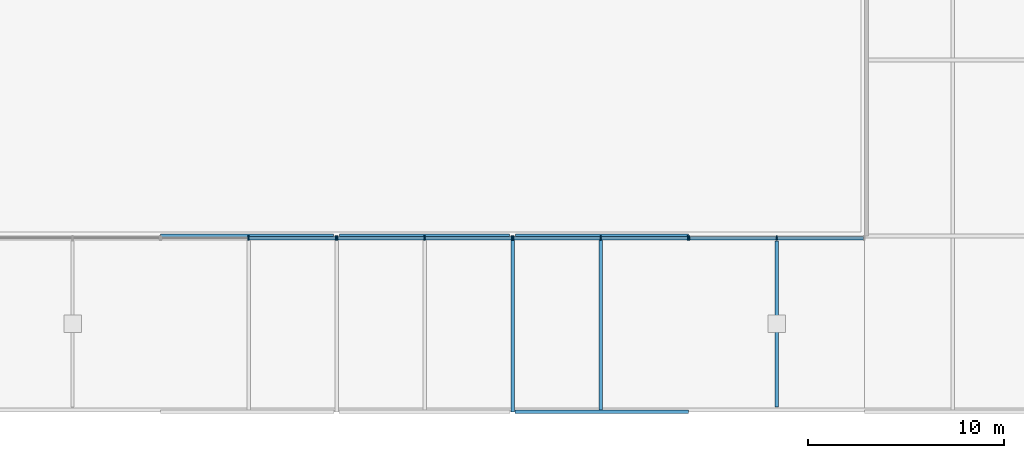
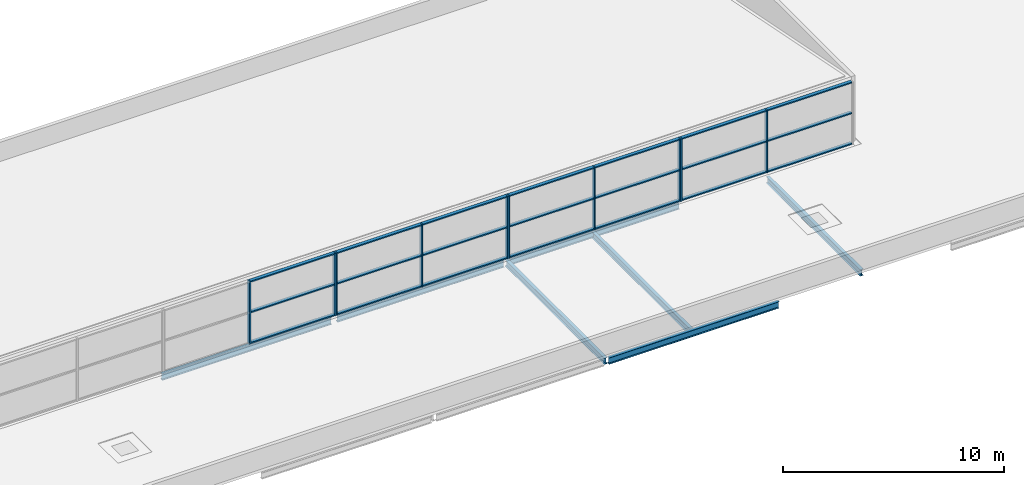
# One storey, part 25 of 50: 31 members, 7 beams, 4 elements without a shape of their own.
"""IFC4 building model written with IfcOpenShell, lengths in metres."""

from ifc_helpers import new_model, si_unit, direction, frame, origin, origin_2d, place, context, subcontext, project, spatial, rectangle, i_section, extrude, material, layer, layer_set, material_profile, profile_set, type_object, element, aggregate, save


model = new_model("IFC4")

# Units and contexts
model_context = context("Model", 3, precision=1e-05, world=origin(), true_north=direction((0.0, 1.0)))
body_context = subcontext(model_context, "Body", "Model", "MODEL_VIEW")
ifc_project = project(units=[si_unit("LENGTHUNIT", "METRE"), si_unit("AREAUNIT", "SQUARE_METRE"), si_unit("VOLUMEUNIT", "CUBIC_METRE"), si_unit("PLANEANGLEUNIT", "RADIAN"), si_unit("MASSUNIT", "GRAM", prefix="KILO")], contexts=[model_context])

# Site, building, storey
site_placement = place(None, origin())
site = spatial("IfcSite", under=ifc_project, at=site_placement, CompositionType="ELEMENT")
building_placement = place(site_placement, origin())
building = spatial("IfcBuilding", under=site, at=building_placement, Name="Corbel Yard City Hall", CompositionType="ELEMENT")
storey_placement = place(building_placement, frame((0.0, 0.0, 15.0)))
storey = spatial("IfcBuildingStorey", under=building, at=storey_placement, Name="L03", CompositionType="ELEMENT", Elevation=15.0)

# Beams
ifc_material_1 = material(Name="Steel Grade 300 (300 MPa yield)", Category="steel")
ifc_material_profile_1 = material_profile(ifc_material_1, i_section(OverallWidth=0.1708984375, OverallDepth=0.35205078125, WebThickness=0.0068359375, FlangeThickness=0.009765625, at=origin_2d()), Name="360UB44.7")
ifc_profile_set_1 = profile_set([ifc_material_profile_1], Name="Steel Grade 300 (300 MPa yield)")
beam_type_1 = type_object("IfcBeamType", Name="Beam 360UB44.7", PredefinedType="BEAM", material=ifc_profile_set_1)
beam_1_placement = place(storey_placement, frame((144.0, 0.00439453125, -0.325927734375), z_axis=(0.0, 1.0, 0.0), x_axis=(-1.0, 0.0, 0.0)))
element("IfcBeam", 1, at=beam_1_placement, inside=storey, type_object=beam_type_1, Name="Beam 360UB44.7 SB13 L03roof", PredefinedType="BEAM", context=body_context, shape_type="SweptSolid", body=[
    extrude(i_section(OverallWidth=0.1708984375, OverallDepth=0.35205078125, WebThickness=0.0068359375, FlangeThickness=0.009765625, at=origin_2d()), origin(), (0.0, 0.0, 1.0), 8.99072265625),
])
ifc_material_profile_2 = material_profile(ifc_material_1, i_section(OverallWidth=0.172119140625, OverallDepth=0.35888671875, WebThickness=0.008056640625, FlangeThickness=0.012939453125, at=origin_2d()), Name="360UB56.7")
ifc_profile_set_2 = profile_set([ifc_material_profile_2], Name="Steel Grade 300 (300 MPa yield)")
beam_type_2 = type_object("IfcBeamType", Name="Edge beam 360UB56.7", PredefinedType="BEAM", material=ifc_profile_set_2)
beam_2_placement = place(storey_placement, frame((144.126953125, 0.0, -0.32958984375), z_axis=(1.0, 0.0, 0.0), x_axis=(0.0, 1.0, 0.0)))
element("IfcBeam", 2, at=beam_2_placement, inside=storey, type_object=beam_type_2, Name="Edge beam 360UB56.7 EB4 L03roof", PredefinedType="BEAM", context=body_context, shape_type="SweptSolid", body=[
    extrude(i_section(OverallWidth=0.172119140625, OverallDepth=0.35888671875, WebThickness=0.008056640625, FlangeThickness=0.012939453125, at=origin_2d()), origin(), (0.0, 0.0, 1.0), 8.873046875),
])
beam_3_placement = place(storey_placement, frame((126.0, 9.0, -0.32958984375), z_axis=(1.0, 0.0, 0.0), x_axis=(0.0, 1.0, 0.0)))
element("IfcBeam", 3, at=beam_3_placement, inside=storey, type_object=beam_type_2, Name="Edge beam 360UB56.7 EB4 L03roof", PredefinedType="BEAM", context=body_context, shape_type="SweptSolid", body=[
    extrude(i_section(OverallWidth=0.172119140625, OverallDepth=0.35888671875, WebThickness=0.008056640625, FlangeThickness=0.012939453125, at=origin_2d()), origin(), (0.0, 0.0, 1.0), 8.845947265625),
])
beam_4_placement = place(storey_placement, frame((135.154052734375, 9.0, -0.32958984375), z_axis=(1.0, 0.0, 0.0), x_axis=(0.0, 1.0, 0.0)))
element("IfcBeam", 4, at=beam_4_placement, inside=storey, type_object=beam_type_2, Name="Edge beam 360UB56.7 EB4 L03roof", PredefinedType="BEAM", context=body_context, shape_type="SweptSolid", body=[
    extrude(i_section(OverallWidth=0.172119140625, OverallDepth=0.35888671875, WebThickness=0.008056640625, FlangeThickness=0.012939453125, at=origin_2d()), origin(), (0.0, 0.0, 1.0), 8.69189453125),
])
beam_5_placement = place(storey_placement, frame((144.154052734375, 9.0, -0.32958984375), z_axis=(1.0, 0.0, 0.0), x_axis=(0.0, 1.0, 0.0)))
element("IfcBeam", 5, at=beam_5_placement, inside=storey, type_object=beam_type_2, Name="Edge beam 360UB56.7 EB4 L03roof", PredefinedType="BEAM", context=body_context, shape_type="SweptSolid", body=[
    extrude(i_section(OverallWidth=0.172119140625, OverallDepth=0.35888671875, WebThickness=0.008056640625, FlangeThickness=0.012939453125, at=origin_2d()), origin(), (0.0, 0.0, 1.0), 8.845947265625),
])

# Curtain wall, members
ifc_material_2 = material(Name="Aluminium extrusion", Category="aluminium")
ifc_layer = layer(ifc_material_2, 0.219970703125)
ifc_layer_set = layer_set([ifc_layer], Name="Aluminium extrusion")
curtain_wall_type = type_object("IfcCurtainWallType", Name="CW5", PredefinedType="USERDEFINED", material=ifc_layer_set)
curtain_wall_1_placement = place(storey_placement, origin())
curtain_wall_1 = element("IfcCurtainWall", 6, at=curtain_wall_1_placement, inside=storey, type_object=curtain_wall_type, Name="Hall south clerestory curtain wall", ObjectType="CURTAIN WALL", PredefinedType="USERDEFINED")
ifc_material_profile_3 = material_profile(ifc_material_2, rectangle(XDim=0.219970703125, YDim=0.06494140625, at=origin_2d()), Name="220x65")
ifc_profile_set_3 = profile_set([ifc_material_profile_3], Name="Aluminium extrusion")
member_type_1 = type_object("IfcMemberType", Name="ML5", PredefinedType="MULLION", material=ifc_profile_set_3)
member_1_placement = place(storey_placement, frame((130.5, 8.889892578125, 0.0), z_axis=(0.0, 0.0, 1.0), x_axis=(0.0, 1.0, 0.0)))
member_1 = element("IfcMember", 7, at=member_1_placement, type_object=member_type_1, Name="CW5 mullion 2", PredefinedType="MULLION", context=body_context, shape_type="SweptSolid", body=[
    extrude(rectangle(XDim=0.219970703125, YDim=0.06494140625, at=origin_2d()), origin(), (0.0, 0.0, 1.0), 3.449951171875),
])
member_2_placement = place(storey_placement, frame((134.967529296875, 8.889892578125, 0.0), z_axis=(0.0, 0.0, 1.0), x_axis=(0.0, 1.0, 0.0)))
member_2 = element("IfcMember", 8, at=member_2_placement, type_object=member_type_1, Name="CW5 mullion 3", PredefinedType="MULLION", context=body_context, shape_type="SweptSolid", body=[
    extrude(rectangle(XDim=0.219970703125, YDim=0.06494140625, at=origin_2d()), origin(), (0.0, 0.0, 1.0), 3.449951171875),
])

curtain_wall_2_placement = place(storey_placement, origin())
curtain_wall_2 = element("IfcCurtainWall", 9, at=curtain_wall_2_placement, inside=storey, type_object=curtain_wall_type, Name="Hall south clerestory curtain wall", ObjectType="CURTAIN WALL", PredefinedType="USERDEFINED")
member_3_placement = place(storey_placement, frame((135.032470703125, 8.889892578125, 0.0), z_axis=(0.0, 0.0, 1.0), x_axis=(0.0, 1.0, 0.0)))
member_3 = element("IfcMember", 10, at=member_3_placement, type_object=member_type_1, Name="CW5 mullion 1", PredefinedType="MULLION", context=body_context, shape_type="SweptSolid", body=[
    extrude(rectangle(XDim=0.219970703125, YDim=0.06494140625, at=origin_2d()), origin(), (0.0, 0.0, 1.0), 3.449951171875),
])
member_4_placement = place(storey_placement, frame((139.5, 8.889892578125, 0.0), z_axis=(0.0, 0.0, 1.0), x_axis=(0.0, 1.0, 0.0)))
member_4 = element("IfcMember", 11, at=member_4_placement, type_object=member_type_1, Name="CW5 mullion 2", PredefinedType="MULLION", context=body_context, shape_type="SweptSolid", body=[
    extrude(rectangle(XDim=0.219970703125, YDim=0.06494140625, at=origin_2d()), origin(), (0.0, 0.0, 1.0), 3.449951171875),
])
member_5_placement = place(storey_placement, frame((143.967529296875, 8.889892578125, 0.0), z_axis=(0.0, 0.0, 1.0), x_axis=(0.0, 1.0, 0.0)))
member_5 = element("IfcMember", 12, at=member_5_placement, type_object=member_type_1, Name="CW5 mullion 3", PredefinedType="MULLION", context=body_context, shape_type="SweptSolid", body=[
    extrude(rectangle(XDim=0.219970703125, YDim=0.06494140625, at=origin_2d()), origin(), (0.0, 0.0, 1.0), 3.449951171875),
])

curtain_wall_3_placement = place(storey_placement, origin())
curtain_wall_3 = element("IfcCurtainWall", 13, at=curtain_wall_3_placement, inside=storey, type_object=curtain_wall_type, Name="Hall south clerestory curtain wall", ObjectType="CURTAIN WALL", PredefinedType="USERDEFINED")
member_6_placement = place(storey_placement, frame((144.032470703125, 8.889892578125, 0.0), z_axis=(0.0, 0.0, 1.0), x_axis=(0.0, 1.0, 0.0)))
member_6 = element("IfcMember", 14, at=member_6_placement, type_object=member_type_1, Name="CW5 mullion 1", PredefinedType="MULLION", context=body_context, shape_type="SweptSolid", body=[
    extrude(rectangle(XDim=0.219970703125, YDim=0.06494140625, at=origin_2d()), origin(), (0.0, 0.0, 1.0), 3.449951171875),
])
member_7_placement = place(storey_placement, frame((148.5, 8.889892578125, 0.0), z_axis=(0.0, 0.0, 1.0), x_axis=(0.0, 1.0, 0.0)))
member_7 = element("IfcMember", 15, at=member_7_placement, type_object=member_type_1, Name="CW5 mullion 2", PredefinedType="MULLION", context=body_context, shape_type="SweptSolid", body=[
    extrude(rectangle(XDim=0.219970703125, YDim=0.06494140625, at=origin_2d()), origin(), (0.0, 0.0, 1.0), 3.449951171875),
])
member_8_placement = place(storey_placement, frame((152.967529296875, 8.889892578125, 0.0), z_axis=(0.0, 0.0, 1.0), x_axis=(0.0, 1.0, 0.0)))
member_8 = element("IfcMember", 16, at=member_8_placement, type_object=member_type_1, Name="CW5 mullion 3", PredefinedType="MULLION", context=body_context, shape_type="SweptSolid", body=[
    extrude(rectangle(XDim=0.219970703125, YDim=0.06494140625, at=origin_2d()), origin(), (0.0, 0.0, 1.0), 3.449951171875),
])

curtain_wall_4_placement = place(storey_placement, origin())
curtain_wall_4 = element("IfcCurtainWall", 17, at=curtain_wall_4_placement, inside=storey, type_object=curtain_wall_type, Name="Hall south clerestory curtain wall", ObjectType="CURTAIN WALL", PredefinedType="USERDEFINED")
member_9_placement = place(storey_placement, frame((153.032470703125, 8.889892578125, 0.0), z_axis=(0.0, 0.0, 1.0), x_axis=(0.0, 1.0, 0.0)))
member_9 = element("IfcMember", 18, at=member_9_placement, type_object=member_type_1, Name="CW5 mullion 1", PredefinedType="MULLION", context=body_context, shape_type="SweptSolid", body=[
    extrude(rectangle(XDim=0.219970703125, YDim=0.06494140625, at=origin_2d()), origin(), (0.0, 0.0, 1.0), 3.449951171875),
])
member_10_placement = place(storey_placement, frame((157.5, 8.889892578125, 0.0), z_axis=(0.0, 0.0, 1.0), x_axis=(0.0, 1.0, 0.0)))
member_10 = element("IfcMember", 19, at=member_10_placement, type_object=member_type_1, Name="CW5 mullion 2", PredefinedType="MULLION", context=body_context, shape_type="SweptSolid", body=[
    extrude(rectangle(XDim=0.219970703125, YDim=0.06494140625, at=origin_2d()), origin(), (0.0, 0.0, 1.0), 3.449951171875),
])

# Beams
ifc_material_profile_4 = material_profile(ifc_material_1, i_section(OverallWidth=0.1708984375, OverallDepth=0.35205078125, WebThickness=0.0068359375, FlangeThickness=0.009765625, at=origin_2d()), Name="360UB44.7")
ifc_profile_set_4 = profile_set([ifc_material_profile_4], Name="Steel Grade 300 (300 MPa yield)")
beam_type_3 = type_object("IfcBeamType", Name="Secondary beam 360UB44.7", PredefinedType="JOIST", material=ifc_profile_set_4)
beam_6_placement = place(storey_placement, frame((148.5, 0.0859375, -0.325927734375), z_axis=(0.0, 1.0, 0.0), x_axis=(-1.0, 0.0, 0.0)))
element("IfcBeam", 20, at=beam_6_placement, inside=storey, type_object=beam_type_3, Name="Secondary beam 360UB44.7 SB11 L03roof", PredefinedType="JOIST", context=body_context, shape_type="SweptSolid", body=[
    extrude(i_section(OverallWidth=0.1708984375, OverallDepth=0.35205078125, WebThickness=0.0068359375, FlangeThickness=0.009765625, at=origin_2d()), origin(), (0.0, 0.0, 1.0), 8.828125),
])
beam_7_placement = place(storey_placement, frame((157.5, 0.25, -0.325927734375), z_axis=(0.0, 1.0, 0.0), x_axis=(-1.0, 0.0, 0.0)))
element("IfcBeam", 21, at=beam_7_placement, inside=storey, type_object=beam_type_3, Name="Core roof beam 360UB44.7 SB11 PC-S4", PredefinedType="JOIST", context=body_context, shape_type="SweptSolid", body=[
    extrude(i_section(OverallWidth=0.1708984375, OverallDepth=0.35205078125, WebThickness=0.0068359375, FlangeThickness=0.009765625, at=origin_2d()), origin(), (0.0, 0.0, 1.0), 8.5),
])

# Member
ifc_material_profile_5 = material_profile(ifc_material_2, rectangle(XDim=0.179931640625, YDim=0.06494140625, at=origin_2d()), Name="180x65")
ifc_profile_set_5 = profile_set([ifc_material_profile_5], Name="Aluminium extrusion")
member_type_2 = type_object("IfcMemberType", Name="TR5", PredefinedType="USERDEFINED", material=ifc_profile_set_5)
member_11_placement = place(storey_placement, frame((130.532470703125, 8.889892578125, 0.032470703125), z_axis=(1.0, 0.0, 0.0), x_axis=(0.0, 1.0, 0.0)))
member_11 = element("IfcMember", 22, at=member_11_placement, type_object=member_type_2, Name="CW5 transom 2.1", ObjectType="TRANSOM", PredefinedType="USERDEFINED", context=body_context, shape_type="SweptSolid", body=[
    extrude(rectangle(XDim=0.179931640625, YDim=0.06494140625, at=origin_2d()), origin(), (0.0, 0.0, 1.0), 4.402587890625),
])

member_12_placement = place(storey_placement, frame((130.532470703125, 8.889892578125, 1.72509765625), z_axis=(1.0, 0.0, 0.0), x_axis=(0.0, 1.0, 0.0)))
member_12 = element("IfcMember", 23, at=member_12_placement, type_object=member_type_2, Name="CW5 transom 2.2", ObjectType="TRANSOM", PredefinedType="USERDEFINED", context=body_context, shape_type="SweptSolid", body=[
    extrude(rectangle(XDim=0.179931640625, YDim=0.06494140625, at=origin_2d()), origin(), (0.0, 0.0, 1.0), 4.402587890625),
])

member_13_placement = place(storey_placement, frame((130.532470703125, 8.889892578125, 3.41748046875), z_axis=(1.0, 0.0, 0.0), x_axis=(0.0, 1.0, 0.0)))
member_13 = element("IfcMember", 24, at=member_13_placement, type_object=member_type_2, Name="CW5 transom 2.3", ObjectType="TRANSOM", PredefinedType="USERDEFINED", context=body_context, shape_type="SweptSolid", body=[
    extrude(rectangle(XDim=0.179931640625, YDim=0.06494140625, at=origin_2d()), origin(), (0.0, 0.0, 1.0), 4.402587890625),
])

aggregate(curtain_wall_1, [member_1, member_2, member_11, member_12, member_13])

member_14_placement = place(storey_placement, frame((135.06494140625, 8.889892578125, 0.032470703125), z_axis=(1.0, 0.0, 0.0), x_axis=(0.0, 1.0, 0.0)))
member_14 = element("IfcMember", 25, at=member_14_placement, type_object=member_type_2, Name="CW5 transom 1.1", ObjectType="TRANSOM", PredefinedType="USERDEFINED", context=body_context, shape_type="SweptSolid", body=[
    extrude(rectangle(XDim=0.179931640625, YDim=0.06494140625, at=origin_2d()), origin(), (0.0, 0.0, 1.0), 4.402587890625),
])

member_15_placement = place(storey_placement, frame((135.06494140625, 8.889892578125, 1.72509765625), z_axis=(1.0, 0.0, 0.0), x_axis=(0.0, 1.0, 0.0)))
member_15 = element("IfcMember", 26, at=member_15_placement, type_object=member_type_2, Name="CW5 transom 1.2", ObjectType="TRANSOM", PredefinedType="USERDEFINED", context=body_context, shape_type="SweptSolid", body=[
    extrude(rectangle(XDim=0.179931640625, YDim=0.06494140625, at=origin_2d()), origin(), (0.0, 0.0, 1.0), 4.402587890625),
])

member_16_placement = place(storey_placement, frame((135.06494140625, 8.889892578125, 3.41748046875), z_axis=(1.0, 0.0, 0.0), x_axis=(0.0, 1.0, 0.0)))
member_16 = element("IfcMember", 27, at=member_16_placement, type_object=member_type_2, Name="CW5 transom 1.3", ObjectType="TRANSOM", PredefinedType="USERDEFINED", context=body_context, shape_type="SweptSolid", body=[
    extrude(rectangle(XDim=0.179931640625, YDim=0.06494140625, at=origin_2d()), origin(), (0.0, 0.0, 1.0), 4.402587890625),
])

member_17_placement = place(storey_placement, frame((139.532470703125, 8.889892578125, 0.032470703125), z_axis=(1.0, 0.0, 0.0), x_axis=(0.0, 1.0, 0.0)))
member_17 = element("IfcMember", 28, at=member_17_placement, type_object=member_type_2, Name="CW5 transom 2.1", ObjectType="TRANSOM", PredefinedType="USERDEFINED", context=body_context, shape_type="SweptSolid", body=[
    extrude(rectangle(XDim=0.179931640625, YDim=0.06494140625, at=origin_2d()), origin(), (0.0, 0.0, 1.0), 4.402587890625),
])

member_18_placement = place(storey_placement, frame((139.532470703125, 8.889892578125, 1.72509765625), z_axis=(1.0, 0.0, 0.0), x_axis=(0.0, 1.0, 0.0)))
member_18 = element("IfcMember", 29, at=member_18_placement, type_object=member_type_2, Name="CW5 transom 2.2", ObjectType="TRANSOM", PredefinedType="USERDEFINED", context=body_context, shape_type="SweptSolid", body=[
    extrude(rectangle(XDim=0.179931640625, YDim=0.06494140625, at=origin_2d()), origin(), (0.0, 0.0, 1.0), 4.402587890625),
])

member_19_placement = place(storey_placement, frame((139.532470703125, 8.889892578125, 3.41748046875), z_axis=(1.0, 0.0, 0.0), x_axis=(0.0, 1.0, 0.0)))
member_19 = element("IfcMember", 30, at=member_19_placement, type_object=member_type_2, Name="CW5 transom 2.3", ObjectType="TRANSOM", PredefinedType="USERDEFINED", context=body_context, shape_type="SweptSolid", body=[
    extrude(rectangle(XDim=0.179931640625, YDim=0.06494140625, at=origin_2d()), origin(), (0.0, 0.0, 1.0), 4.402587890625),
])

aggregate(curtain_wall_2, [member_3, member_4, member_5, member_14, member_15, member_16, member_17, member_18, member_19])

member_20_placement = place(storey_placement, frame((144.06494140625, 8.889892578125, 0.032470703125), z_axis=(1.0, 0.0, 0.0), x_axis=(0.0, 1.0, 0.0)))
member_20 = element("IfcMember", 31, at=member_20_placement, type_object=member_type_2, Name="CW5 transom 1.1", ObjectType="TRANSOM", PredefinedType="USERDEFINED", context=body_context, shape_type="SweptSolid", body=[
    extrude(rectangle(XDim=0.179931640625, YDim=0.06494140625, at=origin_2d()), origin(), (0.0, 0.0, 1.0), 4.402587890625),
])

member_21_placement = place(storey_placement, frame((144.06494140625, 8.889892578125, 1.72509765625), z_axis=(1.0, 0.0, 0.0), x_axis=(0.0, 1.0, 0.0)))
member_21 = element("IfcMember", 32, at=member_21_placement, type_object=member_type_2, Name="CW5 transom 1.2", ObjectType="TRANSOM", PredefinedType="USERDEFINED", context=body_context, shape_type="SweptSolid", body=[
    extrude(rectangle(XDim=0.179931640625, YDim=0.06494140625, at=origin_2d()), origin(), (0.0, 0.0, 1.0), 4.402587890625),
])

member_22_placement = place(storey_placement, frame((144.06494140625, 8.889892578125, 3.41748046875), z_axis=(1.0, 0.0, 0.0), x_axis=(0.0, 1.0, 0.0)))
member_22 = element("IfcMember", 33, at=member_22_placement, type_object=member_type_2, Name="CW5 transom 1.3", ObjectType="TRANSOM", PredefinedType="USERDEFINED", context=body_context, shape_type="SweptSolid", body=[
    extrude(rectangle(XDim=0.179931640625, YDim=0.06494140625, at=origin_2d()), origin(), (0.0, 0.0, 1.0), 4.402587890625),
])

member_23_placement = place(storey_placement, frame((148.532470703125, 8.889892578125, 0.032470703125), z_axis=(1.0, 0.0, 0.0), x_axis=(0.0, 1.0, 0.0)))
member_23 = element("IfcMember", 34, at=member_23_placement, type_object=member_type_2, Name="CW5 transom 2.1", ObjectType="TRANSOM", PredefinedType="USERDEFINED", context=body_context, shape_type="SweptSolid", body=[
    extrude(rectangle(XDim=0.179931640625, YDim=0.06494140625, at=origin_2d()), origin(), (0.0, 0.0, 1.0), 4.402587890625),
])

member_24_placement = place(storey_placement, frame((148.532470703125, 8.889892578125, 1.72509765625), z_axis=(1.0, 0.0, 0.0), x_axis=(0.0, 1.0, 0.0)))
member_24 = element("IfcMember", 35, at=member_24_placement, type_object=member_type_2, Name="CW5 transom 2.2", ObjectType="TRANSOM", PredefinedType="USERDEFINED", context=body_context, shape_type="SweptSolid", body=[
    extrude(rectangle(XDim=0.179931640625, YDim=0.06494140625, at=origin_2d()), origin(), (0.0, 0.0, 1.0), 4.402587890625),
])

member_25_placement = place(storey_placement, frame((148.532470703125, 8.889892578125, 3.41748046875), z_axis=(1.0, 0.0, 0.0), x_axis=(0.0, 1.0, 0.0)))
member_25 = element("IfcMember", 36, at=member_25_placement, type_object=member_type_2, Name="CW5 transom 2.3", ObjectType="TRANSOM", PredefinedType="USERDEFINED", context=body_context, shape_type="SweptSolid", body=[
    extrude(rectangle(XDim=0.179931640625, YDim=0.06494140625, at=origin_2d()), origin(), (0.0, 0.0, 1.0), 4.402587890625),
])

aggregate(curtain_wall_3, [member_6, member_7, member_8, member_20, member_21, member_22, member_23, member_24, member_25])

member_26_placement = place(storey_placement, frame((153.06494140625, 8.889892578125, 0.032470703125), z_axis=(1.0, 0.0, 0.0), x_axis=(0.0, 1.0, 0.0)))
member_26 = element("IfcMember", 37, at=member_26_placement, type_object=member_type_2, Name="CW5 transom 1.1", ObjectType="TRANSOM", PredefinedType="USERDEFINED", context=body_context, shape_type="SweptSolid", body=[
    extrude(rectangle(XDim=0.179931640625, YDim=0.06494140625, at=origin_2d()), origin(), (0.0, 0.0, 1.0), 4.402587890625),
])

member_27_placement = place(storey_placement, frame((153.06494140625, 8.889892578125, 1.72509765625), z_axis=(1.0, 0.0, 0.0), x_axis=(0.0, 1.0, 0.0)))
member_27 = element("IfcMember", 38, at=member_27_placement, type_object=member_type_2, Name="CW5 transom 1.2", ObjectType="TRANSOM", PredefinedType="USERDEFINED", context=body_context, shape_type="SweptSolid", body=[
    extrude(rectangle(XDim=0.179931640625, YDim=0.06494140625, at=origin_2d()), origin(), (0.0, 0.0, 1.0), 4.402587890625),
])

member_28_placement = place(storey_placement, frame((153.06494140625, 8.889892578125, 3.41748046875), z_axis=(1.0, 0.0, 0.0), x_axis=(0.0, 1.0, 0.0)))
member_28 = element("IfcMember", 39, at=member_28_placement, type_object=member_type_2, Name="CW5 transom 1.3", ObjectType="TRANSOM", PredefinedType="USERDEFINED", context=body_context, shape_type="SweptSolid", body=[
    extrude(rectangle(XDim=0.179931640625, YDim=0.06494140625, at=origin_2d()), origin(), (0.0, 0.0, 1.0), 4.402587890625),
])

member_29_placement = place(storey_placement, frame((157.532470703125, 8.889892578125, 0.032470703125), z_axis=(1.0, 0.0, 0.0), x_axis=(0.0, 1.0, 0.0)))
member_29 = element("IfcMember", 40, at=member_29_placement, type_object=member_type_2, Name="CW5 transom 2.1", ObjectType="TRANSOM", PredefinedType="USERDEFINED", context=body_context, shape_type="SweptSolid", body=[
    extrude(rectangle(XDim=0.179931640625, YDim=0.06494140625, at=origin_2d()), origin(), (0.0, 0.0, 1.0), 4.402587890625),
])

member_30_placement = place(storey_placement, frame((157.532470703125, 8.889892578125, 1.72509765625), z_axis=(1.0, 0.0, 0.0), x_axis=(0.0, 1.0, 0.0)))
member_30 = element("IfcMember", 41, at=member_30_placement, type_object=member_type_2, Name="CW5 transom 2.2", ObjectType="TRANSOM", PredefinedType="USERDEFINED", context=body_context, shape_type="SweptSolid", body=[
    extrude(rectangle(XDim=0.179931640625, YDim=0.06494140625, at=origin_2d()), origin(), (0.0, 0.0, 1.0), 4.402587890625),
])

member_31_placement = place(storey_placement, frame((157.532470703125, 8.889892578125, 3.41748046875), z_axis=(1.0, 0.0, 0.0), x_axis=(0.0, 1.0, 0.0)))
member_31 = element("IfcMember", 42, at=member_31_placement, type_object=member_type_2, Name="CW5 transom 2.3", ObjectType="TRANSOM", PredefinedType="USERDEFINED", context=body_context, shape_type="SweptSolid", body=[
    extrude(rectangle(XDim=0.179931640625, YDim=0.06494140625, at=origin_2d()), origin(), (0.0, 0.0, 1.0), 4.402587890625),
])

aggregate(curtain_wall_4, [member_9, member_10, member_26, member_27, member_28, member_29, member_30, member_31])

save(model, "model.ifc")
